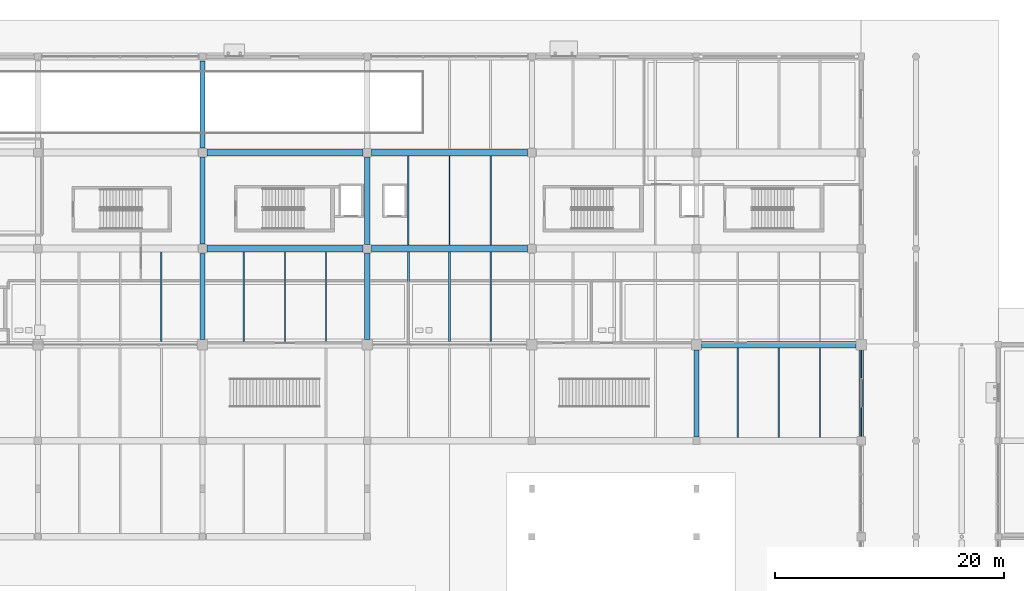
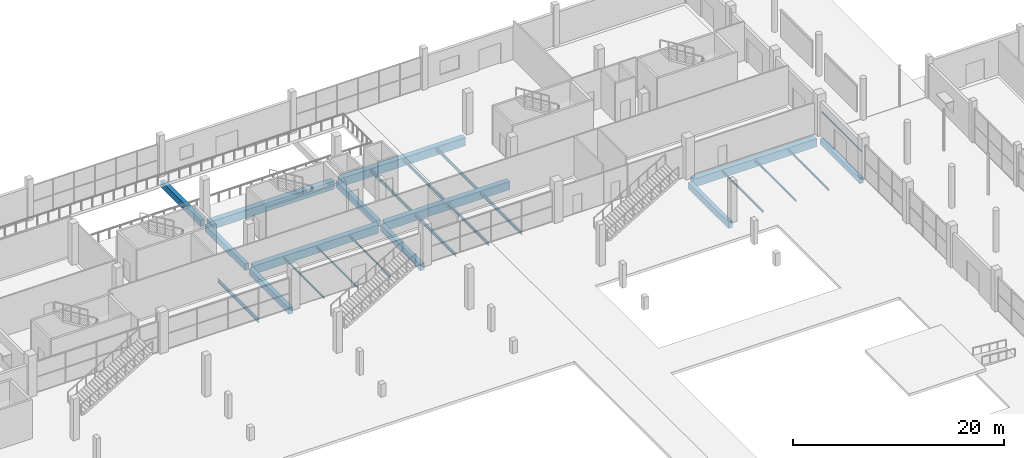
# One storey, part 55 of 130: 26 beams.
"""IFC4 building model written with IfcOpenShell, lengths in metres."""

from ifc_helpers import new_model, si_unit, direction, frame, origin, origin_2d, place, context, subcontext, project, spatial, rectangle, hollow_rectangle, i_section, extrude, material, material_profile, profile_set, type_object, element, save


model = new_model("IFC4")

# Units and contexts
model_context = context("Model", 3, precision=1e-05, world=origin(), true_north=direction((0.0, 1.0)))
body_context = subcontext(model_context, "Body", "Model", "MODEL_VIEW")
ifc_project = project(units=[si_unit("LENGTHUNIT", "METRE"), si_unit("AREAUNIT", "SQUARE_METRE"), si_unit("VOLUMEUNIT", "CUBIC_METRE"), si_unit("PLANEANGLEUNIT", "RADIAN"), si_unit("MASSUNIT", "GRAM", prefix="KILO"), si_unit("THERMODYNAMICTEMPERATUREUNIT", "KELVIN")], contexts=[model_context])

# Site, building, storey
site_placement = place(None, origin())
site = spatial("IfcSite", under=ifc_project, at=site_placement, CompositionType="ELEMENT")
building_placement = place(site_placement, origin())
building = spatial("IfcBuilding", under=site, at=building_placement, Name="Nduvali Passage Aquatics Centre", CompositionType="ELEMENT")
storey_placement = place(building_placement, origin())
storey = spatial("IfcBuildingStorey", under=building, at=storey_placement, Name="L00", CompositionType="ELEMENT", Elevation=0.0)

# Beams
ifc_material_1 = material(Name="Concrete C40/50", Category="concrete")
ifc_material_profile_1 = material_profile(ifc_material_1, rectangle(XDim=0.449951171875, YDim=0.75, at=origin_2d()), Name="RC 450x750")
ifc_profile_set_1 = profile_set([ifc_material_profile_1], Name="Concrete C40/50")
beam_type_1 = type_object("IfcBeamType", Name="STR-BM-RC4575", PredefinedType="BEAM", material=ifc_profile_set_1)
beam_1_placement = place(storey_placement, frame((68.39990234375, 92.85009765625, -0.675048828125), z_axis=(0.0, 1.0, 0.0), x_axis=(-1.0, 0.0, 0.0)))
element("IfcBeam", 1, at=beam_1_placement, inside=storey, type_object=beam_type_1, Name="L00 Primary Y-Girder B3-0158", PredefinedType="BEAM", context=body_context, shape_type="SweptSolid", body=[
    extrude(rectangle(XDim=0.449951171875, YDim=0.75, at=origin_2d()), origin(), (0.0, 0.0, 1.0), 7.5498046875),
])
beam_2_placement = place(storey_placement, frame((68.39990234375, 101.199951171875, -0.675048828125), z_axis=(0.0, 1.0, 0.0), x_axis=(-1.0, 0.0, 0.0)))
element("IfcBeam", 2, at=beam_2_placement, inside=storey, type_object=beam_type_1, Name="L00 Primary Y-Girder B3-0159", PredefinedType="BEAM", context=body_context, shape_type="SweptSolid", body=[
    extrude(rectangle(XDim=0.449951171875, YDim=0.75, at=origin_2d()), origin(), (0.0, 0.0, 1.0), 7.60009765625),
])
beam_3_placement = place(storey_placement, frame((68.39990234375, 109.60009765625, -0.675048828125), z_axis=(0.0, 1.0, 0.0), x_axis=(-1.0, 0.0, 0.0)))
element("IfcBeam", 3, at=beam_3_placement, inside=storey, type_object=beam_type_1, Name="L00 Primary Y-Girder B3-0160", PredefinedType="BEAM", context=body_context, shape_type="SweptSolid", body=[
    extrude(rectangle(XDim=0.449951171875, YDim=0.75, at=origin_2d()), origin(), (0.0, 0.0, 1.0), 7.599853515625),
])
beam_4_placement = place(storey_placement, frame((82.800048828125, 92.85009765625, -0.675048828125), z_axis=(0.0, 1.0, 0.0), x_axis=(-1.0, 0.0, 0.0)))
element("IfcBeam", 4, at=beam_4_placement, inside=storey, type_object=beam_type_1, Name="L00 Primary Y-Girder B3-0166", PredefinedType="BEAM", context=body_context, shape_type="SweptSolid", body=[
    extrude(rectangle(XDim=0.449951171875, YDim=0.75, at=origin_2d()), origin(), (0.0, 0.0, 1.0), 7.574951171875),
])
beam_5_placement = place(storey_placement, frame((82.800048828125, 101.175048828125, -0.675048828125), z_axis=(0.0, 1.0, 0.0), x_axis=(-1.0, 0.0, 0.0)))
element("IfcBeam", 5, at=beam_5_placement, inside=storey, type_object=beam_type_1, Name="L00 Primary Y-Girder B3-0167", PredefinedType="BEAM", context=body_context, shape_type="SweptSolid", body=[
    extrude(rectangle(XDim=0.449951171875, YDim=0.75, at=origin_2d()), origin(), (0.0, 0.0, 1.0), 7.64990234375),
])
beam_6_placement = place(storey_placement, frame((111.60009765625, 84.324951171875, -0.695068359375), z_axis=(0.0, 1.0, 0.0), x_axis=(-1.0, 0.0, 0.0)))
element("IfcBeam", 6, at=beam_6_placement, inside=storey, type_object=beam_type_1, Name="L00 Primary Y-Girder B3-0183", PredefinedType="BEAM", context=body_context, shape_type="SweptSolid", body=[
    extrude(rectangle(XDim=0.449951171875, YDim=0.75, at=origin_2d()), origin(), (0.0, 0.0, 1.0), 7.625),
])
ifc_material_profile_2 = material_profile(ifc_material_1, rectangle(XDim=0.60009765625, YDim=0.949951171875, at=origin_2d()), Name="RC 600x950")
ifc_profile_set_2 = profile_set([ifc_material_profile_2], Name="Concrete C40/50")
beam_type_2 = type_object("IfcBeamType", Name="STR-BM-RC6095", PredefinedType="BEAM", material=ifc_profile_set_2)
for number, where, z_axis, x_axis, name in (
    (7, (68.800048828125, 100.800048828125, -0.77490234375), (1.0, 0.0, 0.0), (0.0, 1.0, 0.0), "L00 Primary X-Girder B1-0097"),
    (8, (83.175048828125, 100.800048828125, -0.77490234375), (1.0, 0.0, 0.0), (0.0, 1.0, 0.0), "L00 Primary X-Girder B1-0098"),
    (9, (68.800048828125, 109.199951171875, -0.77490234375), (1.0, 0.0, 0.0), (0.0, 1.0, 0.0), "L00 Primary X-Girder B1-0103"),
    (10, (83.175048828125, 109.199951171875, -0.77490234375), (1.0, 0.0, 0.0), (0.0, 1.0, 0.0), "L00 Primary X-Girder B1-0104"),
):
    element("IfcBeam", number, at=place(storey_placement, frame(where, z_axis=z_axis, x_axis=x_axis)), inside=storey, type_object=beam_type_2, Name=name, PredefinedType="BEAM", context=body_context, shape_type="SweptSolid", body=[
        extrude(rectangle(XDim=0.60009765625, YDim=0.949951171875, at=origin_2d()), origin(), (0.0, 0.0, 1.0), 13.625),
    ])
ifc_material_profile_3 = material_profile(ifc_material_1, rectangle(XDim=0.60009765625, YDim=0.949951171875, at=origin_2d()), Name="RC 600x950")
ifc_profile_set_3 = profile_set([ifc_material_profile_3], Name="Concrete C40/50")
beam_type_3 = type_object("IfcBeamType", Name="STR-BM-RC6095-EXT", PredefinedType="BEAM", material=ifc_profile_set_3)
beam_7_placement = place(storey_placement, frame((112.050048828125, 92.39990234375, -0.794921875), z_axis=(1.0, 0.0, 0.0), x_axis=(0.0, 1.0, 0.0)))
element("IfcBeam", 11, at=beam_7_placement, inside=storey, type_object=beam_type_3, Name="L00 Primary X-Girder B1E-0091", PredefinedType="BEAM", context=body_context, shape_type="SweptSolid", body=[
    extrude(rectangle(XDim=0.60009765625, YDim=0.949951171875, at=origin_2d()), origin(), (0.0, 0.0, 1.0), 13.5),
])
ifc_material_2 = material(Name="Steel S355", Category="steel")
ifc_material_profile_4 = material_profile(ifc_material_2, i_section(OverallWidth=0.10009765625, OverallDepth=0.199951171875, WebThickness=0.005615234375, FlangeThickness=0.008544921875, FilletRadius=0.011962890625, at=origin_2d()), Name="IPE 200")
ifc_profile_set_4 = profile_set([ifc_material_profile_4], Name="Steel S355")
beam_type_4 = type_object("IfcBeamType", Name="STR-JST-IPE200", PredefinedType="JOIST", material=ifc_profile_set_4)
for number, where, z_axis, x_axis, name in (
    (12, (72.0, 92.699951171875, -0.404052734375), (0.0, 1.0, 0.0), (-1.0, 0.0, 0.0), "L00 Secondary Joist J9A-0399"),
    (13, (75.60009765625, 92.699951171875, -0.404052734375), (0.0, 1.0, 0.0), (-1.0, 0.0, 0.0), "L00 Secondary Joist J9A-0400"),
    (14, (79.199951171875, 92.699951171875, -0.404052734375), (0.0, 1.0, 0.0), (-1.0, 0.0, 0.0), "L00 Secondary Joist J9A-0401"),
):
    element("IfcBeam", number, at=place(storey_placement, frame(where, z_axis=z_axis, x_axis=x_axis)), inside=storey, type_object=beam_type_4, Name=name, PredefinedType="JOIST", context=body_context, shape_type="SweptSolid", body=[
        extrude(i_section(OverallWidth=0.10009765625, OverallDepth=0.199951171875, WebThickness=0.005615234375, FlangeThickness=0.008544921875, FilletRadius=0.011962890625, at=origin_2d()), origin(), (0.0, 0.0, 1.0), 7.800048828125),
    ])
ifc_material_profile_5 = material_profile(ifc_material_2, i_section(OverallWidth=0.110107421875, OverallDepth=0.219970703125, WebThickness=0.005859375, FlangeThickness=0.00927734375, FilletRadius=0.011962890625, at=origin_2d()), Name="IPE 220")
ifc_profile_set_5 = profile_set([ifc_material_profile_5], Name="Steel S355")
beam_type_5 = type_object("IfcBeamType", Name="STR-JST-IPE220", PredefinedType="JOIST", material=ifc_profile_set_5)
for number, where, z_axis, x_axis, name in (
    (15, (115.199951171875, 84.300048828125, -0.43408203125), (0.0, 1.0, 0.0), (-1.0, 0.0, 0.0), "L00 Secondary Joist J9-0389"),
    (16, (118.800048828125, 84.300048828125, -0.43408203125), (0.0, 1.0, 0.0), (-1.0, 0.0, 0.0), "L00 Secondary Joist J9-0390"),
    (17, (122.39990234375, 84.300048828125, -0.43408203125), (0.0, 1.0, 0.0), (-1.0, 0.0, 0.0), "L00 Secondary Joist J9-0391"),
):
    element("IfcBeam", number, at=place(storey_placement, frame(where, z_axis=z_axis, x_axis=x_axis)), inside=storey, type_object=beam_type_5, Name=name, PredefinedType="JOIST", context=body_context, shape_type="SweptSolid", body=[
        extrude(i_section(OverallWidth=0.110107421875, OverallDepth=0.219970703125, WebThickness=0.005859375, FlangeThickness=0.00927734375, FilletRadius=0.011962890625, at=origin_2d()), origin(), (0.0, 0.0, 1.0), 7.800048828125),
    ])
ifc_material_profile_6 = material_profile(ifc_material_2, i_section(OverallWidth=0.159912109375, OverallDepth=0.330078125, WebThickness=0.007568359375, FlangeThickness=0.011474609375, FilletRadius=0.01806640625, at=origin_2d()), Name="IPE 330")
ifc_profile_set_6 = profile_set([ifc_material_profile_6], Name="Steel S355")
beam_type_6 = type_object("IfcBeamType", Name="STR-JST-IPE330", PredefinedType="JOIST", material=ifc_profile_set_6)
for number, where, z_axis, x_axis, name in (
    (18, (86.39990234375, 92.699951171875, -0.468994140625), (0.0, 1.0, 0.0), (-1.0, 0.0, 0.0), "L00 Secondary Joist J6A-0402"),
    (19, (90.0, 92.699951171875, -0.468994140625), (0.0, 1.0, 0.0), (-1.0, 0.0, 0.0), "L00 Secondary Joist J6A-0403"),
    (20, (93.60009765625, 92.699951171875, -0.468994140625), (0.0, 1.0, 0.0), (-1.0, 0.0, 0.0), "L00 Secondary Joist J6A-0404"),
):
    element("IfcBeam", number, at=place(storey_placement, frame(where, z_axis=z_axis, x_axis=x_axis)), inside=storey, type_object=beam_type_6, Name=name, PredefinedType="JOIST", context=body_context, shape_type="SweptSolid", body=[
        extrude(i_section(OverallWidth=0.159912109375, OverallDepth=0.330078125, WebThickness=0.007568359375, FlangeThickness=0.011474609375, FilletRadius=0.01806640625, at=origin_2d()), origin(), (0.0, 0.0, 1.0), 7.800048828125),
    ])
ifc_material_profile_7 = material_profile(ifc_material_2, i_section(OverallWidth=0.1259765625, OverallDepth=0.353515625, WebThickness=0.006591796875, FlangeThickness=0.0107421875, FilletRadius=0.01025390625, at=origin_2d()), Name="UKB 356x127x39")
ifc_profile_set_7 = profile_set([ifc_material_profile_7], Name="Steel S355")
beam_type_7 = type_object("IfcBeamType", Name="STR-JST-UKB356L", PredefinedType="JOIST", material=ifc_profile_set_7)
for number, where, z_axis, x_axis, name in (
    (21, (86.39990234375, 101.10009765625, -0.480712890625), (0.0, 1.0, 0.0), (-1.0, 0.0, 0.0), "L00 Secondary Joist J2A-0414"),
    (22, (90.0, 101.10009765625, -0.480712890625), (0.0, 1.0, 0.0), (-1.0, 0.0, 0.0), "L00 Secondary Joist J2A-0415"),
    (23, (93.60009765625, 101.10009765625, -0.480712890625), (0.0, 1.0, 0.0), (-1.0, 0.0, 0.0), "L00 Secondary Joist J2A-0416"),
):
    element("IfcBeam", number, at=place(storey_placement, frame(where, z_axis=z_axis, x_axis=x_axis)), inside=storey, type_object=beam_type_7, Name=name, PredefinedType="JOIST", context=body_context, shape_type="SweptSolid", body=[
        extrude(i_section(OverallWidth=0.1259765625, OverallDepth=0.353515625, WebThickness=0.006591796875, FlangeThickness=0.0107421875, FilletRadius=0.01025390625, at=origin_2d()), origin(), (0.0, 0.0, 1.0), 7.7998046875),
    ])
ifc_material_profile_8 = material_profile(ifc_material_2, i_section(OverallWidth=0.14208984375, OverallDepth=0.4033203125, WebThickness=0.0068359375, FlangeThickness=0.01123046875, FilletRadius=0.01025390625, at=origin_2d()), Name="UKB 406x140x46")
ifc_profile_set_8 = profile_set([ifc_material_profile_8], Name="Steel S355")
beam_type_8 = type_object("IfcBeamType", Name="STR-JST-UKB406L", PredefinedType="JOIST", material=ifc_profile_set_8)
beam_8_placement = place(storey_placement, frame((64.800048828125, 92.699951171875, -0.505615234375), z_axis=(0.0, 1.0, 0.0), x_axis=(-1.0, 0.0, 0.0)))
element("IfcBeam", 24, at=beam_8_placement, inside=storey, type_object=beam_type_8, Name="L00 Secondary Joist J1B-0398", PredefinedType="JOIST", context=body_context, shape_type="SweptSolid", body=[
    extrude(i_section(OverallWidth=0.14208984375, OverallDepth=0.4033203125, WebThickness=0.0068359375, FlangeThickness=0.01123046875, FilletRadius=0.01025390625, at=origin_2d()), origin(), (0.0, 0.0, 1.0), 7.800048828125),
])
ifc_material_profile_9 = material_profile(ifc_material_2, hollow_rectangle(XDim=0.080078125, YDim=0.159912109375, WallThickness=0.0048828125, at=origin_2d()), Name="RHS 160x80x5.0")
ifc_profile_set_9 = profile_set([ifc_material_profile_9], Name="Steel S355")
beam_type_9 = type_object("IfcBeamType", Name="STR-LNT-RHS160-EXT", PredefinedType="LINTEL", material=ifc_profile_set_9)
beam_9_placement = place(storey_placement, frame((126.0, 84.375, 2.75), z_axis=(0.0, 1.0, 0.0), x_axis=(-1.0, 0.0, 0.0)))
element("IfcBeam", 25, at=beam_9_placement, inside=storey, type_object=beam_type_9, Name="Pool Hall North Passage Portal Lintel", PredefinedType="LINTEL", context=body_context, shape_type="SweptSolid", body=[
    extrude(hollow_rectangle(XDim=0.080078125, YDim=0.159912109375, WallThickness=0.0048828125, at=origin_2d()), origin(), (0.0, 0.0, 1.0), 7.574951171875),
])
ifc_material_profile_10 = material_profile(ifc_material_1, rectangle(XDim=0.39990234375, YDim=0.64990234375, at=origin_2d()), Name="RC 400x650")
ifc_profile_set_10 = profile_set([ifc_material_profile_10], Name="Concrete C40/50")
beam_type_10 = type_object("IfcBeamType", Name="STR-SPN-RC4065-EXT", PredefinedType="SPANDREL", material=ifc_profile_set_10)
beam_10_placement = place(storey_placement, frame((126.0, 84.375, -0.64501953125), z_axis=(0.0, 1.0, 0.0), x_axis=(-1.0, 0.0, 0.0)))
element("IfcBeam", 26, at=beam_10_placement, inside=storey, type_object=beam_type_10, Name="L00 Primary Y-Girder SP1E-0197", PredefinedType="SPANDREL", context=body_context, shape_type="SweptSolid", body=[
    extrude(rectangle(XDim=0.39990234375, YDim=0.64990234375, at=origin_2d()), origin(), (0.0, 0.0, 1.0), 7.574951171875),
])

save(model, "model.ifc")
